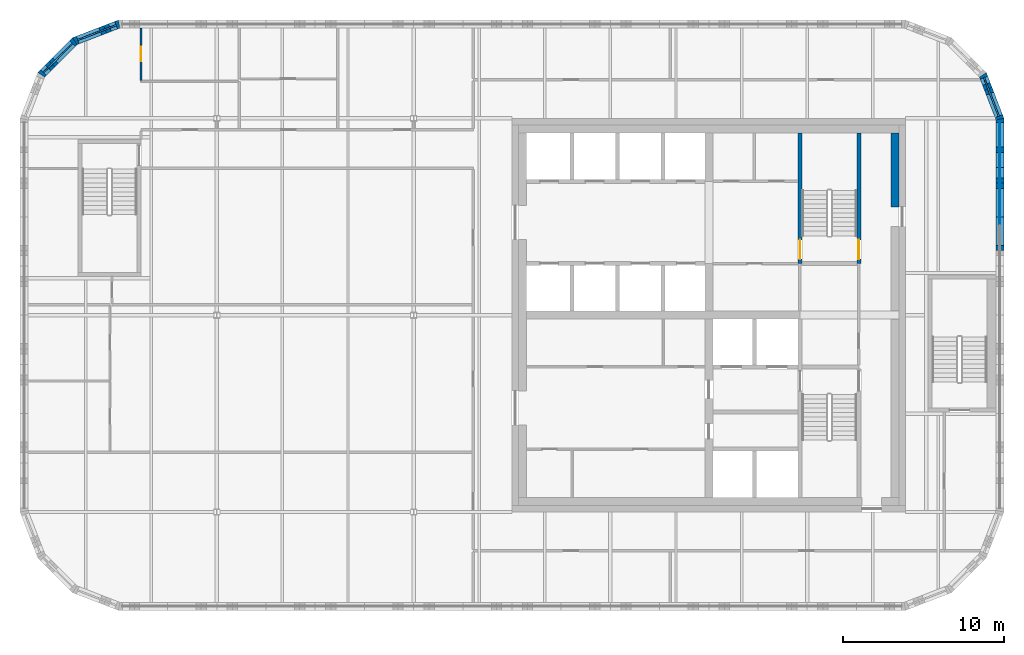
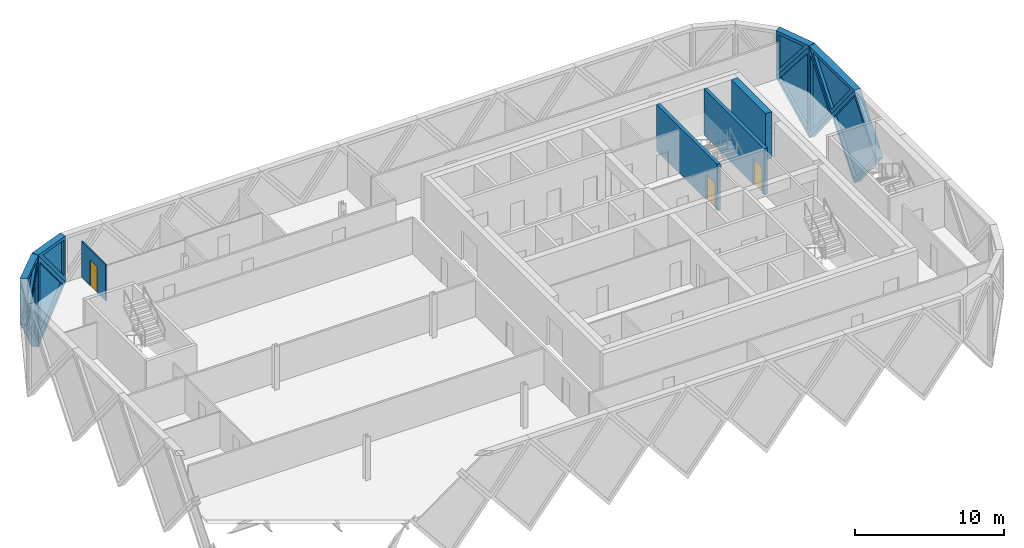
# One storey, part 9 of 12: 13 walls, 9 plates, 3 doors, 12 openings.
"""IFC4 building model written with IfcOpenShell, lengths in metres."""

from ifc_helpers import new_model, si_unit, direction, frame, frame_2d, origin, place, context, subcontext, project, spatial, polyline, rectangle, outline, extrude, faceted_brep, source, transform, mapped, material, layer, layer_set, type_object, element, fill, save


model = new_model("IFC4")

# Units and contexts
model_context = context("Model", 3, precision=1e-05, world=origin(), true_north=direction((0.0, 1.0)))
body_context = subcontext(model_context, "Body", "Model", "MODEL_VIEW")
ifc_project = project(units=[si_unit("LENGTHUNIT", "METRE"), si_unit("AREAUNIT", "SQUARE_METRE"), si_unit("VOLUMEUNIT", "CUBIC_METRE"), si_unit("PLANEANGLEUNIT", "RADIAN"), si_unit("MASSUNIT", "GRAM", prefix="KILO")], contexts=[model_context])

# Site, building, storey
site_placement = place(None, origin())
site = spatial("IfcSite", under=ifc_project, at=site_placement, CompositionType="ELEMENT")
building_placement = place(site_placement, origin())
building = spatial("IfcBuilding", under=site, at=building_placement, Name="Tessera Gate Towers", CompositionType="ELEMENT")
storey_placement = place(building_placement, frame((0.0, 0.0, 255.89990234375)))
storey = spatial("IfcBuildingStorey", under=building, at=storey_placement, Name="L64", CompositionType="ELEMENT", Elevation=255.89990234375)

# Wall, opening, door
ifc_material_1 = material(Name="Concrete C40/50", Category="concrete")
ifc_layer_1 = layer(ifc_material_1, 0.25)
ifc_layer_set_1 = layer_set([ifc_layer_1], Name="CORE ENCLOSURE WALL 250")
wall_type_1 = type_object("IfcWallType", Name="CORE ENCLOSURE WALL 250", PredefinedType="SOLIDWALL", material=ifc_layer_set_1)
wall_1_placement = place(storey_placement, frame((48.35009765625, 47.89990234375, 0.0), z_axis=(0.0, 0.0, 1.0), x_axis=(0.0, -1.0, 0.0)))
wall_1 = element("IfcWall", 1, at=wall_1_placement, inside=storey, type_object=wall_type_1, Name="L64 shaft and stair enclosure wall", PredefinedType="SOLIDWALL", context=body_context, shape_type="SweptSolid", body=[
    extrude(rectangle(XDim=8.099853515625, YDim=0.25, at=frame_2d((4.0498046875, 0.0))), origin(), (0.0, 0.0, 1.0), 3.800048828125),
])
shared_shape_1 = source(origin(), body_context, "Body", "SweptSolid", [
    extrude(rectangle(XDim=1.199951171875, YDim=2.10009765625, at=frame_2d((0.60009765625, 1.050048828125))), frame((0.0, 0.135009765625, 0.0), z_axis=(0.0, -1.0, 0.0), x_axis=(1.0, 0.0, 0.0)), (0.0, 0.0, 1.0), 0.27001953125),
])
opening_1_placement = place(wall_1_placement, frame((6.625, 0.0, 0.0)))
opening_1 = element("IfcOpeningElement", 2, at=opening_1_placement, cuts=wall_1, Name="Opening SD-ST2-1", PredefinedType="OPENING", context=body_context, shape_type="MappedRepresentation", body=[
    mapped(shared_shape_1, transform((0.0, 0.0, 0.0), scale=1.0)),
])
ifc_material_2 = material(Name="Hollow steel fire door", Category="steel")
door_type_1 = type_object("IfcDoorType", Name="CORE DOOR SD 1200x2100", OperationType="NOTDEFINED", PredefinedType="DOOR", material=ifc_material_2)
shared_shape_2 = source(origin(), body_context, "Body", "SweptSolid", [
    extrude(rectangle(XDim=1.199951171875, YDim=2.10009765625, at=frame_2d((0.60009765625, 1.050048828125))), frame((0.0, 0.02490234375, 0.0), z_axis=(0.0, -1.0, 0.0), x_axis=(1.0, 0.0, 0.0)), (0.0, 0.0, 1.0), 0.050048828125),
])
door_1_placement = place(opening_1_placement, origin())
door_1 = element("IfcDoor", 3, at=door_1_placement, inside=storey, type_object=door_type_1, Name="Stair door", OperationType="SINGLE_SWING_RIGHT", OverallHeight=2.10009765625, OverallWidth=1.199951171875, PredefinedType="DOOR", context=body_context, shape_type="MappedRepresentation", body=[
    mapped(shared_shape_2, transform((0.0, 0.0, 0.0), scale=1.0)),
])
fill(opening_1, door_1)

wall_2_placement = place(storey_placement, frame((52.0, 39.800048828125, 0.0), z_axis=(0.0, 0.0, 1.0), x_axis=(0.0, 1.0, 0.0)))
wall_2 = element("IfcWall", 4, at=wall_2_placement, inside=storey, type_object=wall_type_1, Name="L64 shaft and stair enclosure wall", PredefinedType="SOLIDWALL", context=body_context, shape_type="SweptSolid", body=[
    extrude(rectangle(XDim=8.099853515625, YDim=0.25, at=frame_2d((4.0498046875, 0.0))), origin(), (0.0, 0.0, 1.0), 3.800048828125),
])
opening_2_placement = place(wall_2_placement, frame((0.27490234375, 0.0, 0.0)))
opening_2 = element("IfcOpeningElement", 5, at=opening_2_placement, cuts=wall_2, Name="Opening SD-ST2-2", PredefinedType="OPENING", context=body_context, shape_type="MappedRepresentation", body=[
    mapped(shared_shape_1, transform((0.0, 0.0, 0.0), scale=1.0)),
])
door_2_placement = place(opening_2_placement, origin())
door_2 = element("IfcDoor", 6, at=door_2_placement, inside=storey, type_object=door_type_1, Name="Stair door", OperationType="SINGLE_SWING_LEFT", OverallHeight=2.10009765625, OverallWidth=1.199951171875, PredefinedType="DOOR", context=body_context, shape_type="MappedRepresentation", body=[
    mapped(shared_shape_2, transform((0.0, 0.0, 0.0), scale=1.0)),
])
fill(opening_2, door_2)

# Wall
ifc_material_3 = material(Name="Concrete C40/50", Category="concrete")
ifc_layer_2 = layer(ifc_material_3, 0.5)
ifc_layer_set_2 = layer_set([ifc_layer_2], Name="CORE WALL THICKENING 500")
wall_type_2 = type_object("IfcWallType", Name="CORE WALL THICKENING 500", PredefinedType="SOLIDWALL", material=ifc_layer_set_2)
wall_3_placement = place(storey_placement, frame((54.25, 43.300048828125, 0.0), z_axis=(0.0, 0.0, 1.0), x_axis=(0.0, 1.0, 0.0)))
element("IfcWall", 7, at=wall_3_placement, inside=storey, type_object=wall_type_2, Name="Core wall thickening E L64", PredefinedType="SOLIDWALL", context=body_context, shape_type="SweptSolid", body=[
    extrude(rectangle(XDim=4.599853515625, YDim=0.5, at=frame_2d((2.2998046875, 0.0))), origin(), (0.0, 0.0, 1.0), 3.800048828125),
])

# Wall, opening, door
ifc_material_4 = material(Name="Gypsum board on steel studs", Category="steel")
ifc_layer_3 = layer(ifc_material_4, 0.10009765625)
ifc_layer_set_3 = layer_set([ifc_layer_3], Name="PARTITION 100")
wall_type_3 = type_object("IfcWallType", Name="PARTITION 100", PredefinedType="PARTITIONING", material=ifc_layer_set_3)
wall_4_placement = place(storey_placement, frame((7.5, 54.39990234375, 0.0), z_axis=(0.0, 0.0, 1.0), x_axis=(0.0, -1.0, 0.0)))
wall_4 = element("IfcWall", 8, at=wall_4_placement, inside=storey, type_object=wall_type_3, Name="T1-L64-PW-024", PredefinedType="PARTITIONING", context=body_context, shape_type="SweptSolid", body=[
    extrude(rectangle(XDim=3.2490234375, YDim=0.10009765625, at=frame_2d((1.62451171875, 0.0))), origin(), (0.0, 0.0, 1.0), 2.947021484375),
])
shared_shape_3 = source(origin(), body_context, "Body", "SweptSolid", [
    extrude(rectangle(XDim=0.89990234375, YDim=2.10009765625, at=frame_2d((0.449951171875, 1.050048828125))), frame((0.0, 0.06005859375, 0.0), z_axis=(0.0, -1.0, 0.0), x_axis=(1.0, 0.0, 0.0)), (0.0, 0.0, 1.0), 0.1201171875),
])
opening_3_placement = place(wall_4_placement, frame((1.14892578125, 0.0, 0.0)))
opening_3 = element("IfcOpeningElement", 9, at=opening_3_placement, cuts=wall_4, Name="Opening D190-A22-04", PredefinedType="OPENING", context=body_context, shape_type="MappedRepresentation", body=[
    mapped(shared_shape_3, transform((0.0, 0.0, 0.0), scale=1.0)),
])
ifc_material_5 = material(Name="Timber door leaf in steel frame", Category="steel")
door_type_2 = type_object("IfcDoorType", Name="INTERNAL DOOR 900 NOT RATED", OperationType="NOTDEFINED", PredefinedType="DOOR", material=ifc_material_5)
shared_shape_4 = source(origin(), body_context, "Body", "SweptSolid", [
    extrude(rectangle(XDim=0.89990234375, YDim=2.10009765625, at=frame_2d((0.449951171875, 1.050048828125))), frame((0.0, 0.02490234375, 0.0), z_axis=(0.0, -1.0, 0.0), x_axis=(1.0, 0.0, 0.0)), (0.0, 0.0, 1.0), 0.050048828125),
])
door_3_placement = place(opening_3_placement, origin())
door_3 = element("IfcDoor", 10, at=door_3_placement, inside=storey, type_object=door_type_2, Name="T1-L64-PD-012", OperationType="SINGLE_SWING_RIGHT", OverallHeight=2.10009765625, OverallWidth=0.89990234375, PredefinedType="DOOR", context=body_context, shape_type="MappedRepresentation", body=[
    mapped(shared_shape_4, transform((0.0, 0.0, 0.0), scale=1.0)),
])
fill(opening_3, door_3)

# Wall, opening, plate
ifc_material_6 = material(Name="Precast concrete C60/75 white", Category="concrete")
ifc_layer_4 = layer(ifc_material_6, 0.5)
ifc_layer_set_4 = layer_set([ifc_layer_4], Name="TS1 tessera")
wall_type_4 = type_object("IfcWallType", Name="TS1 tessera", PredefinedType="SOLIDWALL", material=ifc_layer_set_4)
shared_shape_5 = source(origin(), body_context, "Body", "SweptSolid", [
    extrude(outline(polyline([(3.050048828125, 0.0), (6.10009765625, 3.7998046875), (3.050048828125, 7.599853515625), (0.0, 3.7998046875), (3.050048828125, 0.0)])), frame((0.0, 0.25, 0.0), z_axis=(0.0, -1.0, 0.0), x_axis=(1.0, 0.0, 0.0)), (0.0, 0.0, 1.0), 0.5),
])
wall_5_placement = place(storey_placement, frame((60.75, 39.64990234375, -3.7998046875), z_axis=(0.0, 0.0, 1.0), x_axis=(0.0, 1.0, 0.0)))
wall_5 = element("IfcWall", 11, at=wall_5_placement, inside=storey, type_object=wall_type_4, Name="Precast tessera T1 TS1-1133", PredefinedType="SOLIDWALL", context=body_context, shape_type="MappedRepresentation", body=[
    mapped(shared_shape_5, transform((0.0, 0.0, 0.0), scale=1.0)),
])
shared_shape_6 = source(origin(), body_context, "Body", "SweptSolid", [
    extrude(outline(polyline([(3.050048828125, 0.3994140625), (5.779541015625, 3.7998046875), (3.050048828125, 7.200439453125), (0.320556640625, 3.7998046875), (3.050048828125, 0.3994140625)])), frame((0.0, 0.260009765625, 0.0), z_axis=(0.0, -1.0, 0.0), x_axis=(1.0, 0.0, 0.0)), (0.0, 0.0, 1.0), 0.52001953125),
])
opening_4_placement = place(wall_5_placement, origin())
opening_4 = element("IfcOpeningElement", 12, at=opening_4_placement, cuts=wall_5, Name="Opening T1-PL2-2285", PredefinedType="OPENING", context=body_context, shape_type="MappedRepresentation", body=[
    mapped(shared_shape_6, transform((0.0, 0.0, 0.0), scale=1.0)),
])
ifc_material_7 = material(Name="Low-e laminated glass", Category="glass")
ifc_layer_5 = layer(ifc_material_7, 0.06005859375)
ifc_layer_set_5 = layer_set([ifc_layer_5], Name="PL2 rhombic pane")
plate_type_1 = type_object("IfcPlateType", Name="PL2 rhombic pane", PredefinedType="SHEET", material=ifc_layer_set_5)
shared_shape_7 = source(origin(), body_context, "Body", "SweptSolid", [
    extrude(outline(polyline([(3.050048828125, 0.3994140625), (5.779541015625, 3.7998046875), (3.050048828125, 7.200439453125), (0.320556640625, 3.7998046875), (3.050048828125, 0.3994140625)])), frame((0.0, 0.030029296875, 0.0), z_axis=(0.0, -1.0, 0.0), x_axis=(1.0, 0.0, 0.0)), (0.0, 0.0, 1.0), 0.06005859375),
])
plate_1_placement = place(opening_4_placement, origin())
plate_1 = element("IfcPlate", 13, at=plate_1_placement, inside=storey, type_object=plate_type_1, Name="Glass pane T1 PL2-2285", PredefinedType="SHEET", context=body_context, shape_type="MappedRepresentation", body=[
    mapped(shared_shape_7, transform((0.0, 0.0, 0.0), scale=1.0)),
])
fill(opening_4, plate_1)

ifc_material_8 = material(Name="Precast concrete C60/75 white", Category="concrete")
ifc_layer_6 = layer(ifc_material_8, 0.5)
ifc_layer_set_6 = layer_set([ifc_layer_6], Name="TS3 corner tessera")
wall_type_5 = type_object("IfcWallType", Name="TS3 corner tessera", PredefinedType="SOLIDWALL", material=ifc_layer_set_6)
shared_shape_8 = source(origin(), body_context, "Body", "Brep", [
    faceted_brep([(3.00341796875, -0.25, 0.0), (3.050048828125, -0.25, 0.06005859375), (3.050048828125, -0.25, 7.539794921875), (3.00341796875, -0.25, 7.599853515625), (0.0, -0.25, 3.7998046875), (0.0, 0.25, 3.7998046875), (2.956787109375, 0.25, 7.541015625), (2.956787109375, 0.25, 0.058837890625), (3.00341796875, 0.000244140625, 0.0), (3.00341796875, 0.000244140625, 7.599853515625)], [[[0, 1, 2, 3, 4]], [[5, 6, 7]], [[1, 0, 8]], [[9, 3, 2]], [[6, 5, 4, 3, 9]], [[5, 7, 8, 0, 4]], [[1, 8, 7, 6, 9, 2]]]),
])
wall_6_placement = place(storey_placement, frame((60.75, 45.75, -3.7998046875), z_axis=(0.0, 0.0, 1.0), x_axis=(0.0, 1.0, 0.0)))
wall_6 = element("IfcWall", 14, at=wall_6_placement, inside=storey, type_object=wall_type_5, Name="Precast corner tessera T1 TS3-1453", PredefinedType="SOLIDWALL", context=body_context, shape_type="MappedRepresentation", body=[
    mapped(shared_shape_8, transform((0.0, 0.0, 0.0), scale=1.0)),
])
shared_shape_9 = source(origin(), body_context, "Body", "SweptSolid", [
    extrude(outline(polyline([(2.803466796875, 6.943603515625), (0.318603515625, 3.7998046875), (2.803466796875, 0.656005859375), (2.803466796875, 6.943603515625)])), frame((0.0, 0.260009765625, 0.0), z_axis=(0.0, -1.0, 0.0), x_axis=(1.0, 0.0, 0.0)), (0.0, 0.0, 1.0), 0.52001953125),
])
opening_5_placement = place(wall_6_placement, origin())
opening_5 = element("IfcOpeningElement", 15, at=opening_5_placement, cuts=wall_6, Name="Opening T1-PL2-2286", PredefinedType="OPENING", context=body_context, shape_type="MappedRepresentation", body=[
    mapped(shared_shape_9, transform((0.0, 0.0, 0.0), scale=1.0)),
])
shared_shape_10 = source(origin(), body_context, "Body", "SweptSolid", [
    extrude(outline(polyline([(2.803466796875, 6.943603515625), (0.318603515625, 3.7998046875), (2.803466796875, 0.656005859375), (2.803466796875, 6.943603515625)])), frame((0.0, 0.030029296875, 0.0), z_axis=(0.0, -1.0, 0.0), x_axis=(1.0, 0.0, 0.0)), (0.0, 0.0, 1.0), 0.06005859375),
])
plate_2_placement = place(opening_5_placement, origin())
plate_2 = element("IfcPlate", 16, at=plate_2_placement, inside=storey, type_object=plate_type_1, Name="Glass pane T1 PL2-2286", PredefinedType="SHEET", context=body_context, shape_type="MappedRepresentation", body=[
    mapped(shared_shape_10, transform((0.0, 0.0, 0.0), scale=1.0)),
])
fill(opening_5, plate_2)

shared_shape_11 = source(origin(), body_context, "Body", "Brep", [
    faceted_brep([(0.046630859375, -0.25, 0.0), (2.9970703125, -0.25, 3.7998046875), (0.046630859375, -0.25, 7.599853515625), (0.0, -0.25, 7.541015625), (0.0, -0.25, 0.058837890625), (0.09326171875, 0.25, 7.539794921875), (2.9443359375, 0.25, 3.867919921875), (2.9443359375, 0.25, 3.731689453125), (0.09326171875, 0.25, 0.06005859375), (2.9970703125, 0.00048828125, 3.7998046875), (0.046630859375, 0.0, 0.0), (0.046630859375, 0.0, 7.599853515625)], [[[0, 1, 2, 3, 4]], [[5, 6, 7, 8]], [[8, 7, 9, 1, 0, 10]], [[6, 5, 11, 2, 1, 9]], [[3, 2, 11]], [[10, 0, 4]], [[8, 10, 4, 3, 11, 5]], [[9, 7, 6]]]),
])
wall_7_placement = place(storey_placement, frame((60.766845703125, 48.7099609375, -3.7998046875), z_axis=(0.0, 0.0, 1.0), x_axis=(-0.359901446078, 0.932990326376, 0.0)))
wall_7 = element("IfcWall", 17, at=wall_7_placement, inside=storey, type_object=wall_type_5, Name="Precast corner tessera T1 TS3-1454", PredefinedType="SOLIDWALL", context=body_context, shape_type="MappedRepresentation", body=[
    mapped(shared_shape_11, transform((0.0, 0.0, 0.0), scale=1.0)),
])
shared_shape_12 = source(origin(), body_context, "Body", "SweptSolid", [
    extrude(outline(polyline([(0.24658203125, 0.6650390625), (2.6806640625, 3.7998046875), (0.24658203125, 6.9345703125), (0.24658203125, 0.6650390625)])), frame((0.0, 0.260009765625, 0.0), z_axis=(0.0, -1.0, 0.0), x_axis=(1.0, 0.0, 0.0)), (0.0, 0.0, 1.0), 0.52001953125),
])
opening_6_placement = place(wall_7_placement, origin())
opening_6 = element("IfcOpeningElement", 18, at=opening_6_placement, cuts=wall_7, Name="Opening T1-PL2-2287", PredefinedType="OPENING", context=body_context, shape_type="MappedRepresentation", body=[
    mapped(shared_shape_12, transform((0.0, 0.0, 0.0), scale=1.0)),
])
shared_shape_13 = source(origin(), body_context, "Body", "SweptSolid", [
    extrude(outline(polyline([(0.24658203125, 0.6650390625), (2.6806640625, 3.7998046875), (0.24658203125, 6.9345703125), (0.24658203125, 0.6650390625)])), frame((0.0, 0.030029296875, 0.0), z_axis=(0.0, -1.0, 0.0), x_axis=(1.0, 0.0, 0.0)), (0.0, 0.0, 1.0), 0.06005859375),
])
plate_3_placement = place(opening_6_placement, origin())
plate_3 = element("IfcPlate", 19, at=plate_3_placement, inside=storey, type_object=plate_type_1, Name="Glass pane T1 PL2-2287", PredefinedType="SHEET", context=body_context, shape_type="MappedRepresentation", body=[
    mapped(shared_shape_13, transform((0.0, 0.0, 0.0), scale=1.0)),
])
fill(opening_6, plate_3)

shared_shape_14 = source(origin(), body_context, "Body", "Brep", [
    faceted_brep([(0.052978515625, -0.25, 0.0), (2.9970703125, -0.25, 3.7998046875), (0.052978515625, -0.25, 7.599853515625), (0.0, -0.25, 7.53173828125), (0.0, -0.25, 0.068115234375), (0.10595703125, 0.25, 7.531494140625), (2.944091796875, 0.25, 3.867919921875), (2.944091796875, 0.25, 3.731689453125), (0.10595703125, 0.25, 0.068359375), (2.9970703125, 0.000244140625, 3.7998046875), (0.052978515625, 0.0, 0.0), (0.052978515625, 0.0, 7.599853515625)], [[[0, 1, 2, 3, 4]], [[5, 6, 7, 8]], [[8, 7, 9, 1, 0, 10]], [[6, 5, 11, 2, 1, 9]], [[3, 2, 11]], [[10, 0, 4]], [[8, 10, 4, 3, 11, 5]], [[9, 7, 6]]]),
])
wall_8_placement = place(storey_placement, frame((3.43115234375, 53.62548828125, -3.7998046875), z_axis=(0.0, 0.0, 1.0), x_axis=(-0.707106781187, -0.707106781187, 0.0)))
wall_8 = element("IfcWall", 20, at=wall_8_placement, inside=storey, type_object=wall_type_5, Name="Precast corner tessera T1 TS3-1458", PredefinedType="SOLIDWALL", context=body_context, shape_type="MappedRepresentation", body=[
    mapped(shared_shape_14, transform((0.0, 0.0, 0.0), scale=1.0)),
])
shared_shape_15 = source(origin(), body_context, "Body", "SweptSolid", [
    extrude(outline(polyline([(0.2529296875, 0.666259765625), (2.680908203125, 3.7998046875), (0.2529296875, 6.93359375), (0.2529296875, 0.666259765625)])), frame((0.0, 0.260009765625, 0.0), z_axis=(0.0, -1.0, 0.0), x_axis=(1.0, 0.0, 0.0)), (0.0, 0.0, 1.0), 0.52001953125),
])
opening_7_placement = place(wall_8_placement, origin())
opening_7 = element("IfcOpeningElement", 21, at=opening_7_placement, cuts=wall_8, Name="Opening T1-PL2-2299", PredefinedType="OPENING", context=body_context, shape_type="MappedRepresentation", body=[
    mapped(shared_shape_15, transform((0.0, 0.0, 0.0), scale=1.0)),
])
shared_shape_16 = source(origin(), body_context, "Body", "SweptSolid", [
    extrude(outline(polyline([(0.2529296875, 0.666259765625), (2.680908203125, 3.7998046875), (0.2529296875, 6.93359375), (0.2529296875, 0.666259765625)])), frame((0.0, 0.030029296875, 0.0), z_axis=(0.0, -1.0, 0.0), x_axis=(1.0, 0.0, 0.0)), (0.0, 0.0, 1.0), 0.06005859375),
])
plate_4_placement = place(opening_7_placement, origin())
plate_4 = element("IfcPlate", 22, at=plate_4_placement, inside=storey, type_object=plate_type_1, Name="Glass pane T1 PL2-2299", PredefinedType="SHEET", context=body_context, shape_type="MappedRepresentation", body=[
    mapped(shared_shape_16, transform((0.0, 0.0, 0.0), scale=1.0)),
])
fill(opening_7, plate_4)

shared_shape_17 = source(origin(), body_context, "Body", "Brep", [
    faceted_brep([(2.950439453125, -0.25, 0.0), (3.00341796875, -0.25, 0.068359375), (3.00341796875, -0.25, 7.531494140625), (2.950439453125, -0.25, 7.599853515625), (0.0, -0.25, 3.7998046875), (0.046630859375, 0.25, 3.85986328125), (2.897705078125, 0.25, 7.53173828125), (2.897705078125, 0.25, 0.068115234375), (0.046630859375, 0.25, 3.73974609375), (2.950439453125, 0.00048828125, 0.0), (2.950439453125, 0.00048828125, 7.599853515625), (0.0, 0.0, 3.7998046875)], [[[0, 1, 2, 3, 4]], [[5, 6, 7, 8]], [[1, 0, 9]], [[10, 3, 2]], [[6, 5, 11, 4, 3, 10]], [[8, 7, 9, 0, 4, 11]], [[8, 11, 5]], [[1, 9, 7, 6, 10, 2]]]),
])
wall_9_placement = place(storey_placement, frame((6.146484375, 54.64990234375, -3.7998046875), z_axis=(0.0, 0.0, 1.0), x_axis=(-0.932997369089, -0.359883188373, 0.0)))
wall_9 = element("IfcWall", 23, at=wall_9_placement, inside=storey, type_object=wall_type_5, Name="Precast corner tessera T1 TS3-1457", PredefinedType="SOLIDWALL", context=body_context, shape_type="MappedRepresentation", body=[
    mapped(shared_shape_17, transform((0.0, 0.0, 0.0), scale=1.0)),
])
shared_shape_18 = source(origin(), body_context, "Body", "SweptSolid", [
    extrude(outline(polyline([(2.75048828125, 6.9345703125), (0.31640625, 3.7998046875), (2.75048828125, 0.6650390625), (2.75048828125, 6.9345703125)])), frame((0.0, 0.260009765625, 0.0), z_axis=(0.0, -1.0, 0.0), x_axis=(1.0, 0.0, 0.0)), (0.0, 0.0, 1.0), 0.52001953125),
])
opening_8_placement = place(wall_9_placement, origin())
opening_8 = element("IfcOpeningElement", 24, at=opening_8_placement, cuts=wall_9, Name="Opening T1-PL2-2298", PredefinedType="OPENING", context=body_context, shape_type="MappedRepresentation", body=[
    mapped(shared_shape_18, transform((0.0, 0.0, 0.0), scale=1.0)),
])
shared_shape_19 = source(origin(), body_context, "Body", "SweptSolid", [
    extrude(outline(polyline([(2.75048828125, 6.9345703125), (0.31640625, 3.7998046875), (2.75048828125, 0.6650390625), (2.75048828125, 6.9345703125)])), frame((0.0, 0.030029296875, 0.0), z_axis=(0.0, -1.0, 0.0), x_axis=(1.0, 0.0, 0.0)), (0.0, 0.0, 1.0), 0.06005859375),
])
plate_5_placement = place(opening_8_placement, origin())
plate_5 = element("IfcPlate", 25, at=plate_5_placement, inside=storey, type_object=plate_type_1, Name="Glass pane T1 PL2-2298", PredefinedType="SHEET", context=body_context, shape_type="MappedRepresentation", body=[
    mapped(shared_shape_19, transform((0.0, 0.0, 0.0), scale=1.0)),
])
fill(opening_8, plate_5)

shared_shape_20 = source(origin(), body_context, "Body", "Brep", [
    faceted_brep([(0.046630859375, -0.25, 0.0), (2.9970703125, -0.25, 3.800048828125), (0.0, -0.25, 3.800048828125), (0.0, -0.25, 0.058837890625), (0.09326171875, 0.25, 3.800048828125), (2.9443359375, 0.25, 3.800048828125), (2.9443359375, 0.25, 3.73193359375), (0.09326171875, 0.25, 0.06005859375), (2.9970703125, 0.00048828125, 3.800048828125), (0.046630859375, 0.0, 0.0)], [[[0, 1, 2, 3]], [[4, 5, 6, 7]], [[7, 6, 8, 1, 0, 9]], [[5, 4, 2, 1, 8]], [[9, 0, 3]], [[7, 9, 3, 2, 4]], [[6, 5, 8]]]),
])
wall_10_placement = place(storey_placement, frame((6.18994140625, 54.666748046875, 0.0), z_axis=(0.0, 0.0, 1.0), x_axis=(-0.932990326376, -0.359901446078, 0.0)))
wall_10 = element("IfcWall", 26, at=wall_10_placement, inside=storey, type_object=wall_type_5, Name="Precast corner tessera T1 TS3-1476", PredefinedType="SOLIDWALL", context=body_context, shape_type="MappedRepresentation", body=[
    mapped(shared_shape_20, transform((0.0, 0.0, 0.0), scale=1.0)),
])
shared_shape_21 = source(origin(), body_context, "Body", "SweptSolid", [
    extrude(outline(polyline([(0.24658203125, 0.665283203125), (2.486572265625, 3.550048828125), (0.24658203125, 3.550048828125), (0.24658203125, 0.665283203125)])), frame((0.0, 0.260009765625, 0.0), z_axis=(0.0, -1.0, 0.0), x_axis=(1.0, 0.0, 0.0)), (0.0, 0.0, 1.0), 0.52001953125),
])
opening_9_placement = place(wall_10_placement, origin())
opening_9 = element("IfcOpeningElement", 27, at=opening_9_placement, cuts=wall_10, Name="Opening T1-PL1-0637", PredefinedType="OPENING", context=body_context, shape_type="MappedRepresentation", body=[
    mapped(shared_shape_21, transform((0.0, 0.0, 0.0), scale=1.0)),
])
ifc_material_9 = material(Name="Low-e laminated glass", Category="glass")
ifc_layer_7 = layer(ifc_material_9, 0.06005859375)
ifc_layer_set_7 = layer_set([ifc_layer_7], Name="PL1 triangular pane")
plate_type_2 = type_object("IfcPlateType", Name="PL1 triangular pane", PredefinedType="SHEET", material=ifc_layer_set_7)
shared_shape_22 = source(origin(), body_context, "Body", "SweptSolid", [
    extrude(outline(polyline([(0.24658203125, 0.665283203125), (2.486572265625, 3.550048828125), (0.24658203125, 3.550048828125), (0.24658203125, 0.665283203125)])), frame((0.0, 0.030029296875, 0.0), z_axis=(0.0, -1.0, 0.0), x_axis=(1.0, 0.0, 0.0)), (0.0, 0.0, 1.0), 0.06005859375),
])
plate_6_placement = place(opening_9_placement, origin())
plate_6 = element("IfcPlate", 28, at=plate_6_placement, inside=storey, type_object=plate_type_2, Name="Glass pane T1 PL1-0637", PredefinedType="SHEET", context=body_context, shape_type="MappedRepresentation", body=[
    mapped(shared_shape_22, transform((0.0, 0.0, 0.0), scale=1.0)),
])
fill(opening_9, plate_6)

ifc_material_10 = material(Name="Precast concrete C60/75 white", Category="concrete")
ifc_layer_8 = layer(ifc_material_10, 0.5)
ifc_layer_set_8 = layer_set([ifc_layer_8], Name="TS2 half tessera")
wall_type_6 = type_object("IfcWallType", Name="TS2 half tessera", PredefinedType="SOLIDWALL", material=ifc_layer_set_8)
shared_shape_23 = source(origin(), body_context, "Body", "Brep", [
    faceted_brep([(3.050048828125, -0.25, 0.0), (6.053466796875, -0.25, 3.800048828125), (0.0, -0.25, 3.800048828125), (0.0, 0.25, 3.800048828125), (6.0068359375, 0.25, 3.800048828125), (6.0068359375, 0.25, 3.7412109375), (3.050048828125, 0.25, 0.0), (6.053466796875, 0.0, 3.800048828125)], [[[0, 1, 2]], [[3, 4, 5, 6]], [[6, 5, 7, 1, 0]], [[4, 3, 2, 1, 7]], [[3, 6, 0, 2]], [[5, 4, 7]]]),
])
wall_11_placement = place(storey_placement, frame((60.75, 42.699951171875, 0.0), z_axis=(0.0, 0.0, 1.0), x_axis=(0.0, 1.0, 0.0)))
wall_11 = element("IfcWall", 29, at=wall_11_placement, inside=storey, type_object=wall_type_6, Name="Precast half tessera T1 TS2-0308", PredefinedType="SOLIDWALL", context=body_context, shape_type="MappedRepresentation", body=[
    mapped(shared_shape_23, transform((0.0, 0.0, 0.0), scale=1.0)),
])
shared_shape_24 = source(origin(), body_context, "Body", "SweptSolid", [
    extrude(outline(polyline([(3.048583984375, 0.4013671875), (5.537109375, 3.550048828125), (0.521240234375, 3.550048828125), (3.048583984375, 0.4013671875)])), frame((0.0, 0.260009765625, 0.0), z_axis=(0.0, -1.0, 0.0), x_axis=(1.0, 0.0, 0.0)), (0.0, 0.0, 1.0), 0.52001953125),
])
opening_10_placement = place(wall_11_placement, origin())
opening_10 = element("IfcOpeningElement", 30, at=opening_10_placement, cuts=wall_11, Name="Opening T1-PL1-0624", PredefinedType="OPENING", context=body_context, shape_type="MappedRepresentation", body=[
    mapped(shared_shape_24, transform((0.0, 0.0, 0.0), scale=1.0)),
])
shared_shape_25 = source(origin(), body_context, "Body", "SweptSolid", [
    extrude(outline(polyline([(3.048583984375, 0.4013671875), (5.537109375, 3.550048828125), (0.521240234375, 3.550048828125), (3.048583984375, 0.4013671875)])), frame((0.0, 0.030029296875, 0.0), z_axis=(0.0, -1.0, 0.0), x_axis=(1.0, 0.0, 0.0)), (0.0, 0.0, 1.0), 0.06005859375),
])
plate_7_placement = place(opening_10_placement, origin())
plate_7 = element("IfcPlate", 31, at=plate_7_placement, inside=storey, type_object=plate_type_2, Name="Glass pane T1 PL1-0624", PredefinedType="SHEET", context=body_context, shape_type="MappedRepresentation", body=[
    mapped(shared_shape_25, transform((0.0, 0.0, 0.0), scale=1.0)),
])
fill(opening_10, plate_7)

shared_shape_26 = source(origin(), body_context, "Body", "Brep", [
    faceted_brep([(2.950439453125, -0.25, 0.0), (3.00341796875, -0.25, 0.068359375), (3.00341796875, -0.25, 3.800048828125), (0.0, -0.25, 3.800048828125), (0.046630859375, 0.25, 3.800048828125), (2.897705078125, 0.25, 3.800048828125), (2.897705078125, 0.25, 0.068115234375), (0.046630859375, 0.25, 3.739990234375), (2.950439453125, 0.00048828125, 0.0), (0.0, 0.0, 3.800048828125)], [[[0, 1, 2, 3]], [[4, 5, 6, 7]], [[1, 0, 8]], [[5, 4, 9, 3, 2]], [[7, 6, 8, 0, 3, 9]], [[7, 9, 4]], [[1, 8, 6, 5, 2]]]),
])
wall_12_placement = place(storey_placement, frame((60.75, 48.75341796875, 0.0), z_axis=(0.0, 0.0, 1.0), x_axis=(-0.35992665181, 0.932980602862, 0.0)))
wall_12 = element("IfcWall", 32, at=wall_12_placement, inside=storey, type_object=wall_type_5, Name="Precast corner tessera T1 TS3-1471", PredefinedType="SOLIDWALL", context=body_context, shape_type="MappedRepresentation", body=[
    mapped(shared_shape_26, transform((0.0, 0.0, 0.0), scale=1.0)),
])
shared_shape_27 = source(origin(), body_context, "Body", "SweptSolid", [
    extrude(outline(polyline([(2.75048828125, 3.550048828125), (0.5107421875, 3.550048828125), (2.75048828125, 0.665283203125), (2.75048828125, 3.550048828125)])), frame((0.0, 0.260009765625, 0.0), z_axis=(0.0, -1.0, 0.0), x_axis=(1.0, 0.0, 0.0)), (0.0, 0.0, 1.0), 0.52001953125),
])
opening_11_placement = place(wall_12_placement, origin())
opening_11 = element("IfcOpeningElement", 33, at=opening_11_placement, cuts=wall_12, Name="Opening T1-PL1-0625", PredefinedType="OPENING", context=body_context, shape_type="MappedRepresentation", body=[
    mapped(shared_shape_27, transform((0.0, 0.0, 0.0), scale=1.0)),
])
shared_shape_28 = source(origin(), body_context, "Body", "SweptSolid", [
    extrude(outline(polyline([(2.75048828125, 3.550048828125), (0.5107421875, 3.550048828125), (2.75048828125, 0.665283203125), (2.75048828125, 3.550048828125)])), frame((0.0, 0.030029296875, 0.0), z_axis=(0.0, -1.0, 0.0), x_axis=(1.0, 0.0, 0.0)), (0.0, 0.0, 1.0), 0.06005859375),
])
plate_8_placement = place(opening_11_placement, origin())
plate_8 = element("IfcPlate", 34, at=plate_8_placement, inside=storey, type_object=plate_type_2, Name="Glass pane T1 PL1-0625", PredefinedType="SHEET", context=body_context, shape_type="MappedRepresentation", body=[
    mapped(shared_shape_28, transform((0.0, 0.0, 0.0), scale=1.0)),
])
fill(opening_11, plate_8)

shared_shape_29 = source(origin(), body_context, "Body", "Brep", [
    faceted_brep([(2.944091796875, -0.25, 0.0), (2.9970703125, -0.25, 0.068115234375), (2.9970703125, -0.25, 3.800048828125), (0.0, -0.25, 3.800048828125), (0.052978515625, 0.25, 3.800048828125), (2.89111328125, 0.25, 3.800048828125), (2.89111328125, 0.25, 0.068115234375), (0.052978515625, 0.25, 3.731689453125), (2.944091796875, 0.000244140625, 0.0), (0.0, 0.0, 3.800048828125)], [[[0, 1, 2, 3]], [[4, 5, 6, 7]], [[1, 0, 8]], [[5, 4, 9, 3, 2]], [[7, 6, 8, 0, 3, 9]], [[7, 9, 4]], [[1, 8, 6, 5, 2]]]),
])
wall_13_placement = place(storey_placement, frame((3.393798828125, 53.588134765625, 0.0), z_axis=(0.0, 0.0, 1.0), x_axis=(-0.707106781187, -0.707106781187, 0.0)))
wall_13 = element("IfcWall", 35, at=wall_13_placement, inside=storey, type_object=wall_type_5, Name="Precast corner tessera T1 TS3-1477", PredefinedType="SOLIDWALL", context=body_context, shape_type="MappedRepresentation", body=[
    mapped(shared_shape_29, transform((0.0, 0.0, 0.0), scale=1.0)),
])
shared_shape_30 = source(origin(), body_context, "Body", "SweptSolid", [
    extrude(outline(polyline([(2.744140625, 3.550048828125), (0.510009765625, 3.550048828125), (2.744140625, 0.66650390625), (2.744140625, 3.550048828125)])), frame((0.0, 0.260009765625, 0.0), z_axis=(0.0, -1.0, 0.0), x_axis=(1.0, 0.0, 0.0)), (0.0, 0.0, 1.0), 0.52001953125),
])
opening_12_placement = place(wall_13_placement, origin())
opening_12 = element("IfcOpeningElement", 36, at=opening_12_placement, cuts=wall_13, Name="Opening T1-PL1-0638", PredefinedType="OPENING", context=body_context, shape_type="MappedRepresentation", body=[
    mapped(shared_shape_30, transform((0.0, 0.0, 0.0), scale=1.0)),
])
shared_shape_31 = source(origin(), body_context, "Body", "SweptSolid", [
    extrude(outline(polyline([(2.744140625, 3.550048828125), (0.510009765625, 3.550048828125), (2.744140625, 0.66650390625), (2.744140625, 3.550048828125)])), frame((0.0, 0.030029296875, 0.0), z_axis=(0.0, -1.0, 0.0), x_axis=(1.0, 0.0, 0.0)), (0.0, 0.0, 1.0), 0.06005859375),
])
plate_9_placement = place(opening_12_placement, origin())
plate_9 = element("IfcPlate", 37, at=plate_9_placement, inside=storey, type_object=plate_type_2, Name="Glass pane T1 PL1-0638", PredefinedType="SHEET", context=body_context, shape_type="MappedRepresentation", body=[
    mapped(shared_shape_31, transform((0.0, 0.0, 0.0), scale=1.0)),
])
fill(opening_12, plate_9)

save(model, "model.ifc")
